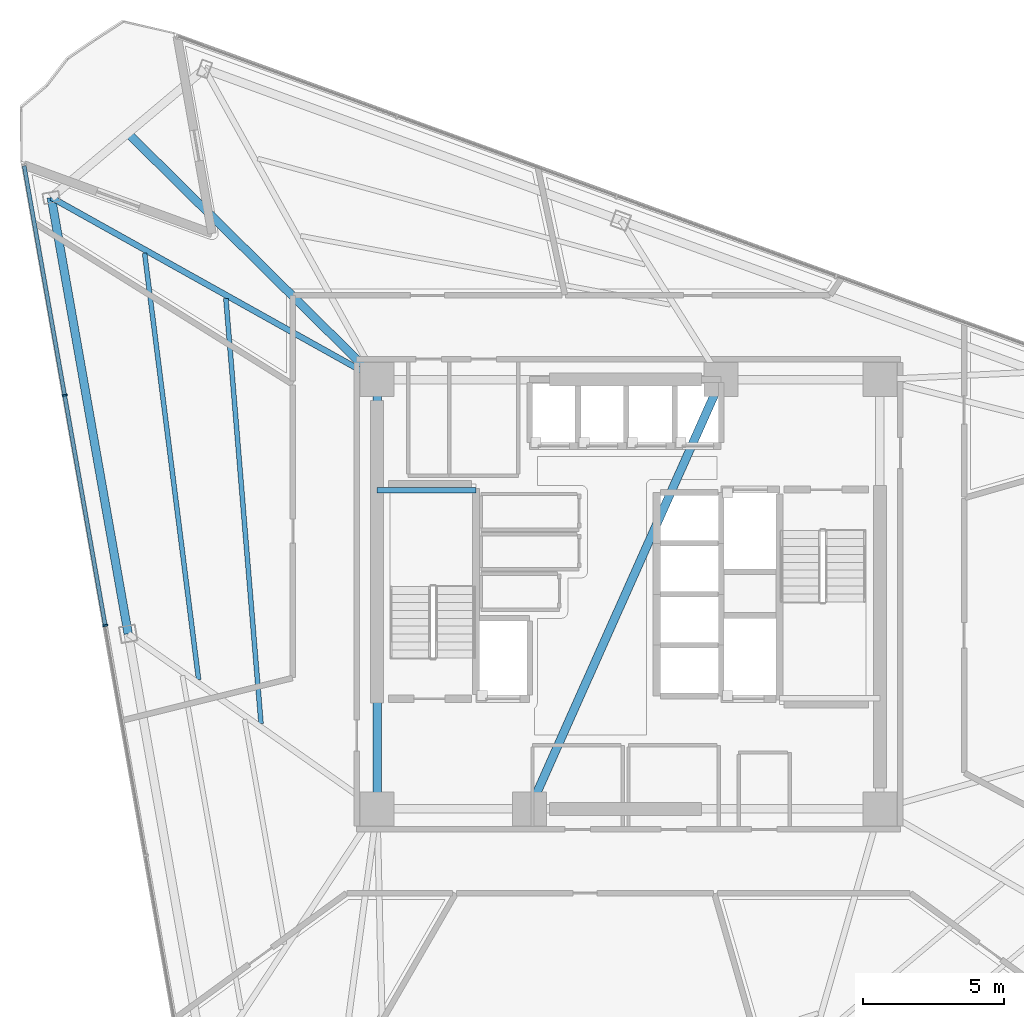
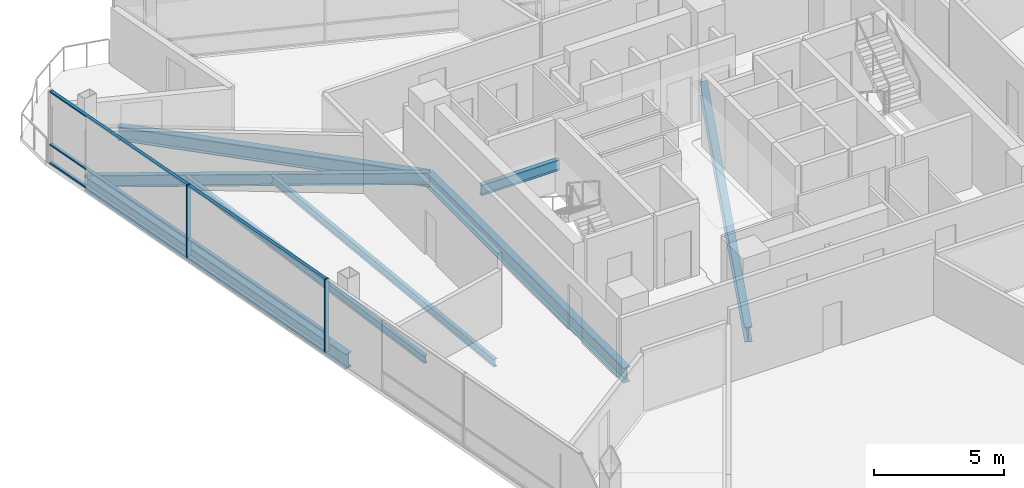
# One storey, part 5 of 15: 8 beams, 8 members, 1 element without a shape of its own.
"""IFC4 building model written with IfcOpenShell, lengths in metres."""

import ifcopenshell
import ifcopenshell.guid

model = None  # the IFC model being written
_history = None  # IfcOwnerHistory: only IFC2X3 demands one
_inside = {}  # id of a spatial element -> (the spatial element, [elements in it])
_under = {}  # id of a project, library or spatial element -> (it, [spatial elements below it])
_declared = {}  # id of a project -> (the project, [libraries it declares])
_typed = {}  # id of a type object -> (the type object, [elements of that type])
_made_of = {}  # id of a material, layer set ... -> (it, [elements and type objects made of it])


def new_model(schema):
    """Start an empty IFC model of exactly this schema.

    Asked for "IFC4X3", IfcOpenShell would pick the latest addendum, in which some entities
    have other attributes; the version numbers below select the first issue.
    IFC2X3 requires an IfcOwnerHistory on every rooted entity: one is made here for all.
    """
    global model, _history
    if schema == "IFC4X3":
        model = ifcopenshell.file(schema_version=(4, 3, 0, 0))
    else:
        model = ifcopenshell.file(schema=schema)
    _inside.clear()
    _under.clear()
    _declared.clear()
    _typed.clear()
    _made_of.clear()
    _history = None
    if model.schema == "IFC2X3":
        org = make("IfcOrganization", Name="unknown")
        user = make(
            "IfcPersonAndOrganization",
            ThePerson=make("IfcPerson", FamilyName="unknown"),
            TheOrganization=org,
        )
        app = make(
            "IfcApplication",
            ApplicationDeveloper=org,
            Version="unknown",
            ApplicationFullName="unknown",
            ApplicationIdentifier="unknown",
        )
        _history = make(
            "IfcOwnerHistory",
            OwningUser=user,
            OwningApplication=app,
            ChangeAction="ADDED",
            CreationDate=0,
        )
    return model


def make(cls, **values):
    """One entity of the class cls with the attributes given. An attribute that is None is left unset."""
    return model.create_entity(
        cls, **{name: value for name, value in values.items() if value is not None}
    )


def rooted(cls, **values):
    """An entity with a GlobalId (a new one), such as an element, a storey or a relation."""
    return make(cls, GlobalId=ifcopenshell.guid.new(), OwnerHistory=_history, **values)


def si_unit(unit_type, name, prefix=None):
    """IfcSIUnit, for example si_unit("LENGTHUNIT", "METRE", prefix="MILLI")."""
    return make("IfcSIUnit", UnitType=unit_type, Prefix=prefix, Name=name)


def assignment(units):
    """IfcUnitAssignment: the units of a project."""
    return None if units is None else make("IfcUnitAssignment", Units=units)


def point(xyz):
    """IfcCartesianPoint."""
    return None if xyz is None else make("IfcCartesianPoint", Coordinates=xyz)


def direction(xyz):
    """IfcDirection."""
    return None if xyz is None else make("IfcDirection", DirectionRatios=xyz)


def frame(location, z_axis=None, x_axis=None):
    """IfcAxis2Placement3D, a coordinate frame: its origin and axes. An axis left out is left unset."""
    return make(
        "IfcAxis2Placement3D",
        Location=point(location),
        Axis=direction(z_axis),
        RefDirection=direction(x_axis),
    )


def frame_2d(location, x_axis=None):
    """IfcAxis2Placement2D, a coordinate frame in the plane: its origin and x axis."""
    return make(
        "IfcAxis2Placement2D", Location=point(location), RefDirection=direction(x_axis)
    )


def origin():
    """The frame at (0, 0, 0) with its axes left unset."""
    return frame((0.0, 0.0, 0.0))


def origin_2d():
    """The frame at (0, 0) in the plane with its x axis left unset."""
    return frame_2d((0.0, 0.0))


def place(relative_to, where):
    """IfcLocalPlacement: puts the frame where relative to a parent placement (None: the world)."""
    return make(
        "IfcLocalPlacement", PlacementRelTo=relative_to, RelativePlacement=where
    )


def context(
    kind, dimensions, precision=None, world=None, true_north=None, identifier=None
):
    """IfcGeometricRepresentationContext, for example the 3D "Model" context."""
    return make(
        "IfcGeometricRepresentationContext",
        ContextIdentifier=identifier,
        ContextType=kind,
        CoordinateSpaceDimension=dimensions,
        Precision=precision,
        WorldCoordinateSystem=world,
        TrueNorth=true_north,
    )


def subcontext(parent, identifier, kind, view, scale=None):
    """IfcGeometricRepresentationSubContext, for example "Body" below "Model"."""
    return make(
        "IfcGeometricRepresentationSubContext",
        ContextIdentifier=identifier,
        ContextType=kind,
        ParentContext=parent,
        TargetScale=scale,
        TargetView=view,
    )


def project(units=None, contexts=None):
    """IfcProject with its units and contexts."""
    return rooted(
        "IfcProject",
        Name="project",
        RepresentationContexts=contexts,
        UnitsInContext=assignment(units),
    )


def spatial(cls, under=None, at=None, **own):
    """A site, building, storey or space (cls), placed at a placement, below another one or the project."""
    s = rooted(cls, ObjectPlacement=at, **own)
    if under is not None:
        _under.setdefault(under.id(), (under, []))[1].append(s)
    return s


def profile(cls, at=None, kind="AREA", **sizes):
    """A parametric profile (cls). Its sizes go by their IFC names, for example OverallWidth=200.0."""
    return make(cls, ProfileType=kind, Position=at, **sizes)


def rectangle(**sizes):
    """IfcRectangleProfileDef."""
    return profile("IfcRectangleProfileDef", **sizes)


def i_section(**sizes):
    """IfcIShapeProfileDef."""
    return profile("IfcIShapeProfileDef", **sizes)


def extrude(swept, where, along, depth):
    """IfcExtrudedAreaSolid: the profile swept, set in the frame where, extruded along a direction by depth."""
    return make(
        "IfcExtrudedAreaSolid",
        SweptArea=swept,
        Position=where,
        ExtrudedDirection=direction(along),
        Depth=depth,
    )


def shape(context_of_items, identifier, shape_type, items):
    """IfcShapeRepresentation: the items that make up one representation, for example the "Body"."""
    return make(
        "IfcShapeRepresentation",
        ContextOfItems=context_of_items,
        RepresentationIdentifier=identifier,
        RepresentationType=shape_type,
        Items=items,
    )


def material(Name=None, Category=None):
    """IfcMaterial."""
    return make("IfcMaterial", Name=Name, Category=Category)


def layer(
    of_material, thickness, ventilated=None, Name=None, Category=None, Priority=None
):
    """IfcMaterialLayer: one layer of a wall or slab, of a material (None: an air gap)."""
    return make(
        "IfcMaterialLayer",
        Material=of_material,
        LayerThickness=thickness,
        IsVentilated=ventilated,
        Name=Name,
        Category=Category,
        Priority=Priority,
    )


def layer_set(layers, Name=None):
    """IfcMaterialLayerSet."""
    return make("IfcMaterialLayerSet", MaterialLayers=layers, LayerSetName=Name)


def material_profile(
    of_material, cross_section, Name=None, Category=None, Priority=None
):
    """IfcMaterialProfile: a cross section and its material."""
    return make(
        "IfcMaterialProfile",
        Name=Name,
        Material=of_material,
        Profile=cross_section,
        Priority=Priority,
        Category=Category,
    )


def profile_set(profiles, Name=None, composite=None):
    """IfcMaterialProfileSet."""
    return make(
        "IfcMaterialProfileSet",
        Name=Name,
        MaterialProfiles=profiles,
        CompositeProfile=composite,
    )


def made_of(thing, what):
    """Note that an element or type object is made of a material, layer set ...; save() writes the relation."""
    if what is not None:
        _made_of.setdefault(what.id(), (what, []))[1].append(thing)
    return thing


def type_object(cls, material=None, **own):
    """A type object (cls), such as IfcWallType, which elements share."""
    return made_of(rooted(cls, **own), material)


def element(
    cls,
    number,
    at=None,
    inside=None,
    cuts=None,
    type_object=None,
    material=None,
    context=None,
    identifier="Body",
    shape_type=None,
    held_by="IfcProductDefinitionShape",
    body=None,
    shapes=None,
    **own,
):
    """One element of the class cls, such as IfcWall. Its Tag is "e" and its number.

    at: its placement. inside: the storey or other place that contains it. cuts: it is an
    opening in that element (IfcRelVoidsElement). A single representation is given by context,
    identifier, shape_type and body (its items); several are given by shapes. held_by: the class
    of the entity that holds the representations. save() writes the other relations.
    """
    e = rooted(cls, Tag="e%d" % number, ObjectPlacement=at, **own)
    if body is not None:
        shapes = [shape(context, identifier, shape_type, body)]
    if shapes is not None:
        e.Representation = make(held_by, Representations=shapes)
    if inside is not None:
        _inside.setdefault(inside.id(), (inside, []))[1].append(e)
    if cuts is not None:
        rooted(
            "IfcRelVoidsElement", RelatingBuildingElement=cuts, RelatedOpeningElement=e
        )
    if type_object is not None:
        _typed.setdefault(type_object.id(), (type_object, []))[1].append(e)
    return made_of(e, material)


def aggregate(whole, parts):
    """IfcRelAggregates: a whole, such as a stair, and the parts it consists of."""
    return rooted("IfcRelAggregates", RelatingObject=whole, RelatedObjects=parts)


def save(model, path):
    """Write the relations noted so far, then the file.

    IfcRelAggregates (storeys below a building ...), IfcRelContainedInSpatialStructure (elements
    in a storey), IfcRelDefinesByType, IfcRelAssociatesMaterial and IfcRelDeclares: one each for
    every whole, place, type object, material and project.
    """
    for whole, parts in _under.values():
        aggregate(whole, parts)
    for where, things in _inside.values():
        rooted(
            "IfcRelContainedInSpatialStructure",
            RelatedElements=things,
            RelatingStructure=where,
        )
    for kind, things in _typed.values():
        rooted("IfcRelDefinesByType", RelatedObjects=things, RelatingType=kind)
    for what, things in _made_of.values():
        rooted("IfcRelAssociatesMaterial", RelatedObjects=things, RelatingMaterial=what)
    for by, libraries in _declared.values():
        rooted("IfcRelDeclares", RelatingContext=by, RelatedDefinitions=libraries)
    model.write(path)


model = new_model("IFC4")

# Units and contexts
model_context = context("Model", 3, precision=1e-05, world=origin(), true_north=direction((0.0, 1.0)))
body_context = subcontext(model_context, "Body", "Model", "MODEL_VIEW")
ifc_project = project(units=[si_unit("LENGTHUNIT", "METRE"), si_unit("AREAUNIT", "SQUARE_METRE"), si_unit("VOLUMEUNIT", "CUBIC_METRE"), si_unit("PLANEANGLEUNIT", "RADIAN"), si_unit("MASSUNIT", "GRAM", prefix="KILO")], contexts=[model_context])

# Site, building, storey
site_placement = place(None, origin())
site = spatial("IfcSite", under=ifc_project, at=site_placement, CompositionType="ELEMENT")
building_placement = place(site_placement, origin())
building = spatial("IfcBuilding", under=site, at=building_placement, Name="Tharavind Bronze Gate", CompositionType="ELEMENT")
storey_placement = place(building_placement, frame((0.0, 0.0, 174.10009765625)))
storey = spatial("IfcBuildingStorey", under=building, at=storey_placement, Name="L44", CompositionType="ELEMENT", Elevation=174.10009765625)

# Curtain wall, members
ifc_material_1 = material(Name="Anodised Bronze Aluminium", Category="aluminium")
ifc_layer = layer(ifc_material_1, 0.219970703125)
ifc_layer_set = layer_set([ifc_layer], Name="Anodised Bronze Aluminium")
curtain_wall_type = type_object("IfcCurtainWallType", Name="UNITISED CURTAIN WALL MID OFFICE", PredefinedType="USERDEFINED", material=ifc_layer_set)
curtain_wall_placement = place(storey_placement, origin())
curtain_wall = element("IfcCurtainWall", 1, at=curtain_wall_placement, inside=storey, type_object=curtain_wall_type, Name="L44 unitised curtain wall mid office CW-L44-S1", ObjectType="UNITISED CURTAIN WALL", PredefinedType="USERDEFINED")
member_type_1 = type_object("IfcMemberType", Name="CURTAIN WALL BRONZE MULLION 65X180", PredefinedType="MULLION", material=ifc_material_1)
member_1_placement = place(storey_placement, frame((-19.9599609375, 7.044677734375, 0.0), z_axis=(0.0, 0.0, 1.0), x_axis=(0.173648177667, -0.984807753012, 0.0)))
member_1 = element("IfcMember", 2, at=member_1_placement, type_object=member_type_1, Name="CW-L44-S1 mullion 2", PredefinedType="MULLION", context=body_context, shape_type="SweptSolid", body=[
    extrude(rectangle(XDim=0.06494140625, YDim=0.179931640625, at=origin_2d()), origin(), (0.0, 0.0, 1.0), 3.419921875),
])
member_2_placement = place(storey_placement, frame((-18.5234375, -1.10302734375, 0.0), z_axis=(0.0, 0.0, 1.0), x_axis=(0.173648177667, -0.984807753012, 0.0)))
member_2 = element("IfcMember", 3, at=member_2_placement, type_object=member_type_1, Name="CW-L44-S1 mullion 3", PredefinedType="MULLION", context=body_context, shape_type="SweptSolid", body=[
    extrude(rectangle(XDim=0.06494140625, YDim=0.179931640625, at=origin_2d()), origin(), (0.0, 0.0, 1.0), 3.419921875),
])
member_type_2 = type_object("IfcMemberType", Name="CURTAIN WALL BRONZE TRANSOM 65X140", PredefinedType="USERDEFINED", material=ifc_material_1)
member_3_placement = place(storey_placement, frame((-20.678466796875, 11.118408203125, 0.0), z_axis=(0.0, 0.0, 1.0), x_axis=(0.173648177667, -0.984807753012, 0.0)))
member_3 = element("IfcMember", 4, at=member_3_placement, type_object=member_type_2, Name="CW-L44-S1 transom TB1", ObjectType="TRANSOM", PredefinedType="USERDEFINED", context=body_context, shape_type="SweptSolid", body=[
    extrude(rectangle(XDim=8.220458984375, YDim=0.139892578125, at=origin_2d()), origin(), (0.0, 0.0, 1.0), 0.06494140625),
])
member_4_placement = place(storey_placement, frame((-20.678466796875, 11.118408203125, 0.867431640625), z_axis=(0.0, 0.0, 1.0), x_axis=(0.173648177667, -0.984807753012, 0.0)))
member_4 = element("IfcMember", 5, at=member_4_placement, type_object=member_type_2, Name="CW-L44-S1 transom TS1", ObjectType="TRANSOM", PredefinedType="USERDEFINED", context=body_context, shape_type="SweptSolid", body=[
    extrude(rectangle(XDim=8.220458984375, YDim=0.139892578125, at=origin_2d()), origin(), (0.0, 0.0, 1.0), 0.06494140625),
])
member_5_placement = place(storey_placement, frame((-20.678466796875, 11.118408203125, 3.35498046875), z_axis=(0.0, 0.0, 1.0), x_axis=(0.173648177667, -0.984807753012, 0.0)))
member_5 = element("IfcMember", 6, at=member_5_placement, type_object=member_type_2, Name="CW-L44-S1 transom TT1", ObjectType="TRANSOM", PredefinedType="USERDEFINED", context=body_context, shape_type="SweptSolid", body=[
    extrude(rectangle(XDim=8.220458984375, YDim=0.139892578125, at=origin_2d()), origin(), (0.0, 0.0, 1.0), 0.06494140625),
])
member_6_placement = place(storey_placement, frame((-19.24169921875, 2.970703125, 0.0), z_axis=(0.0, 0.0, 1.0), x_axis=(0.173648177667, -0.984807753012, 0.0)))
member_6 = element("IfcMember", 7, at=member_6_placement, type_object=member_type_2, Name="CW-L44-S1 transom TB2", ObjectType="TRANSOM", PredefinedType="USERDEFINED", context=body_context, shape_type="SweptSolid", body=[
    extrude(rectangle(XDim=8.220458984375, YDim=0.139892578125, at=origin_2d()), origin(), (0.0, 0.0, 1.0), 0.06494140625),
])
member_7_placement = place(storey_placement, frame((-19.24169921875, 2.970703125, 0.867431640625), z_axis=(0.0, 0.0, 1.0), x_axis=(0.173648177667, -0.984807753012, 0.0)))
member_7 = element("IfcMember", 8, at=member_7_placement, type_object=member_type_2, Name="CW-L44-S1 transom TS2", ObjectType="TRANSOM", PredefinedType="USERDEFINED", context=body_context, shape_type="SweptSolid", body=[
    extrude(rectangle(XDim=8.220458984375, YDim=0.139892578125, at=origin_2d()), origin(), (0.0, 0.0, 1.0), 0.06494140625),
])
member_8_placement = place(storey_placement, frame((-19.24169921875, 2.970703125, 3.35498046875), z_axis=(0.0, 0.0, 1.0), x_axis=(0.173648177667, -0.984807753012, 0.0)))
member_8 = element("IfcMember", 9, at=member_8_placement, type_object=member_type_2, Name="CW-L44-S1 transom TT2", ObjectType="TRANSOM", PredefinedType="USERDEFINED", context=body_context, shape_type="SweptSolid", body=[
    extrude(rectangle(XDim=8.220458984375, YDim=0.139892578125, at=origin_2d()), origin(), (0.0, 0.0, 1.0), 0.06494140625),
])
aggregate(curtain_wall, [member_1, member_2, member_3, member_4, member_5, member_6, member_7, member_8])

# Beams
ifc_material_2 = material(Name="Steel S355", Category="steel")
ifc_material_profile_1 = material_profile(ifc_material_2, i_section(OverallWidth=0.300048828125, OverallDepth=0.64990234375, WebThickness=0.01611328125, FlangeThickness=0.031005859375, at=origin_2d()), Name="HE650B")
ifc_profile_set_1 = profile_set([ifc_material_profile_1], Name="Steel S355")
beam_type_1 = type_object("IfcBeamType", Name="PRIMARY GIRDER HE650B", PredefinedType="USERDEFINED", material=ifc_profile_set_1)
beam_1_placement = place(storey_placement, frame((-8.89990234375, 7.60009765625, -0.505126953125), z_axis=(-0.711218760843, 0.702970749196, 0.0), x_axis=(-0.702970749196, -0.711218760843, 0.0)))
element("IfcBeam", 10, at=beam_1_placement, inside=storey, type_object=beam_type_1, Name="L44 primary girder he650b BM-L44-BLCSB", ObjectType="GIRDER", PredefinedType="USERDEFINED", context=body_context, shape_type="SweptSolid", body=[
    extrude(i_section(OverallWidth=0.300048828125, OverallDepth=0.64990234375, WebThickness=0.01611328125, FlangeThickness=0.031005859375, at=origin_2d()), origin(), (0.0, 0.0, 1.0), 12.40234375),
])
ifc_material_profile_2 = material_profile(ifc_material_2, i_section(OverallWidth=0.199951171875, OverallDepth=0.5, WebThickness=0.01025390625, FlangeThickness=0.01611328125, at=origin_2d()), Name="IPE500")
ifc_profile_set_2 = profile_set([ifc_material_profile_2], Name="Steel S355")
beam_type_2 = type_object("IfcBeamType", Name="PRIMARY GIRDER IPE500", PredefinedType="USERDEFINED", material=ifc_profile_set_2)
beam_2_placement = place(storey_placement, frame((-8.89990234375, 3.679931640625, 1.349853515625), z_axis=(1.0, 0.0, 0.0), x_axis=(0.0, 1.0, 0.0)))
element("IfcBeam", 11, at=beam_2_placement, inside=storey, type_object=beam_type_2, Name="L44 primary girder ipe500 BM-LD-ST1-L44-1", ObjectType="GIRDER", PredefinedType="USERDEFINED", context=body_context, shape_type="SweptSolid", body=[
    extrude(i_section(OverallWidth=0.199951171875, OverallDepth=0.5, WebThickness=0.01025390625, FlangeThickness=0.01611328125, at=origin_2d()), origin(), (0.0, 0.0, 1.0), 3.5),
])
ifc_material_profile_3 = material_profile(ifc_material_2, i_section(OverallWidth=0.2099609375, OverallDepth=0.550048828125, WebThickness=0.010986328125, FlangeThickness=0.01708984375, at=origin_2d()), Name="IPE550")
ifc_profile_set_3 = profile_set([ifc_material_profile_3], Name="Steel S355")
beam_type_3 = type_object("IfcBeamType", Name="PRIMARY GIRDER IPE550", PredefinedType="USERDEFINED", material=ifc_profile_set_3)
beam_3_placement = place(storey_placement, frame((-20.4326171875, 14.043212890625, -0.455078125), z_axis=(0.872996251482, -0.487726916315, 0.0), x_axis=(0.487726916315, 0.872996251482, 0.0)))
element("IfcBeam", 12, at=beam_3_placement, inside=storey, type_object=beam_type_3, Name="L44 primary girder ipe550 BM-L44-RAD01", ObjectType="GIRDER", PredefinedType="USERDEFINED", context=body_context, shape_type="SweptSolid", body=[
    extrude(i_section(OverallWidth=0.2099609375, OverallDepth=0.550048828125, WebThickness=0.010986328125, FlangeThickness=0.01708984375, at=origin_2d()), origin(), (0.0, 0.0, 1.0), 13.21044921875),
])
ifc_material_profile_4 = material_profile(ifc_material_2, i_section(OverallWidth=0.300048828125, OverallDepth=0.699951171875, WebThickness=0.01708984375, FlangeThickness=0.031982421875, at=origin_2d()), Name="HE700B")
ifc_profile_set_4 = profile_set([ifc_material_profile_4], Name="Steel S355")
beam_type_4 = type_object("IfcBeamType", Name="RING GIRDER HE700B", PredefinedType="USERDEFINED", material=ifc_profile_set_4)
beam_4_placement = place(storey_placement, frame((-8.89990234375, 7.60009765625, -0.530029296875), z_axis=(0.0, -1.0, 0.0), x_axis=(1.0, 0.0, 0.0)))
element("IfcBeam", 13, at=beam_4_placement, inside=storey, type_object=beam_type_4, Name="L44 ring girder he700b BM-L44-CR6", ObjectType="GIRDER", PredefinedType="USERDEFINED", context=body_context, shape_type="SweptSolid", body=[
    extrude(i_section(OverallWidth=0.300048828125, OverallDepth=0.699951171875, WebThickness=0.01708984375, FlangeThickness=0.031982421875, at=origin_2d()), origin(), (0.0, 0.0, 1.0), 15.2001953125),
])
beam_5_placement = place(storey_placement, frame((-3.5, -7.60009765625, -0.530029296875), z_axis=(0.407361644566, 0.913266932795, 0.0), x_axis=(-0.913266932795, 0.407361644566, 0.0)))
element("IfcBeam", 14, at=beam_5_placement, inside=storey, type_object=beam_type_4, Name="L44 ring girder he700b BM-L44-CR7", ObjectType="GIRDER", PredefinedType="USERDEFINED", context=body_context, shape_type="SweptSolid", body=[
    extrude(i_section(OverallWidth=0.300048828125, OverallDepth=0.699951171875, WebThickness=0.01708984375, FlangeThickness=0.031982421875, at=origin_2d()), origin(), (0.0, 0.0, 1.0), 16.643798828125),
])
beam_6_placement = place(storey_placement, frame((-20.4326171875, 14.043212890625, -0.530029296875), z_axis=(0.173644998979, -0.984808313495, 0.0), x_axis=(0.984808313495, 0.173644998979, 0.0)))
element("IfcBeam", 15, at=beam_6_placement, inside=storey, type_object=beam_type_4, Name="L44 ring girder he700b BM-L44-PRG01", ObjectType="GIRDER", PredefinedType="USERDEFINED", context=body_context, shape_type="SweptSolid", body=[
    extrude(i_section(OverallWidth=0.300048828125, OverallDepth=0.699951171875, WebThickness=0.01708984375, FlangeThickness=0.031982421875, at=origin_2d()), origin(), (0.0, 0.0, 1.0), 15.680908203125),
])
ifc_material_profile_5 = material_profile(ifc_material_2, i_section(OverallWidth=0.169921875, OverallDepth=0.360107421875, WebThickness=0.008056640625, FlangeThickness=0.0126953125, at=origin_2d()), Name="IPE360")
ifc_profile_set_5 = profile_set([ifc_material_profile_5], Name="Steel S355")
beam_type_5 = type_object("IfcBeamType", Name="SECONDARY FLOOR JOIST IPE360", PredefinedType="JOIST", material=ifc_profile_set_5)
beam_7_placement = place(storey_placement, frame((-14.251953125, 10.466064453125, -0.360107421875), z_axis=(0.082410961919, -0.996598431343, 0.0), x_axis=(0.996598431343, 0.082410961919, 0.0)))
element("IfcBeam", 16, at=beam_7_placement, inside=storey, type_object=beam_type_5, Name="L44 secondary floor joist ipe360 BM-L44-JSTA01", PredefinedType="JOIST", context=body_context, shape_type="SweptSolid", body=[
    extrude(i_section(OverallWidth=0.169921875, OverallDepth=0.360107421875, WebThickness=0.008056640625, FlangeThickness=0.0126953125, at=origin_2d()), origin(), (0.0, 0.0, 1.0), 15.09375),
])
beam_8_placement = place(storey_placement, frame((-17.12890625, 12.073486328125, -0.360107421875), z_axis=(0.125636159432, -0.992076385891, 0.0), x_axis=(0.992076385891, 0.125636159432, 0.0)))
element("IfcBeam", 17, at=beam_8_placement, inside=storey, type_object=beam_type_5, Name="L44 secondary floor joist ipe360 BM-L44-JSTB01", PredefinedType="JOIST", context=body_context, shape_type="SweptSolid", body=[
    extrude(i_section(OverallWidth=0.169921875, OverallDepth=0.360107421875, WebThickness=0.008056640625, FlangeThickness=0.0126953125, at=origin_2d()), origin(), (0.0, 0.0, 1.0), 15.215576171875),
])

save(model, "model.ifc")
